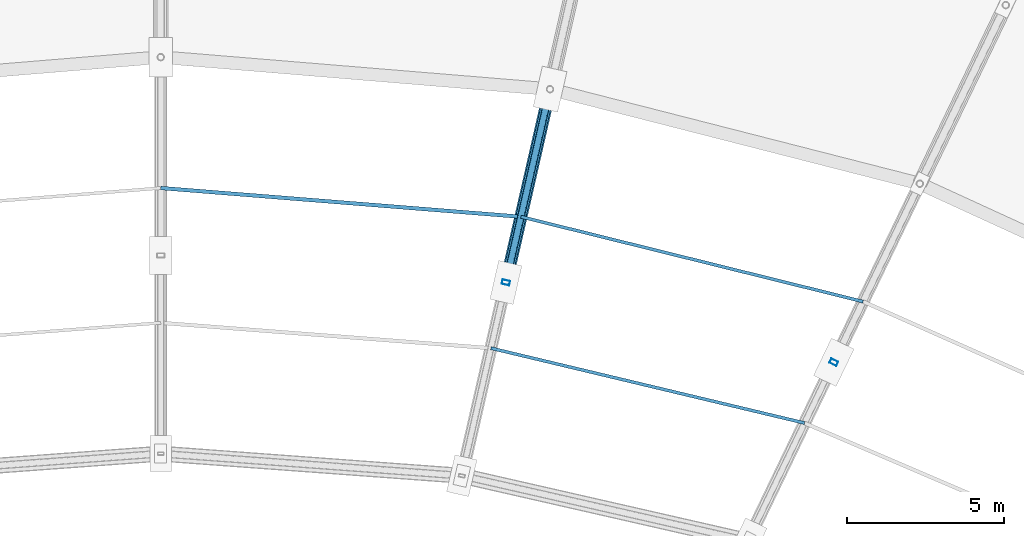
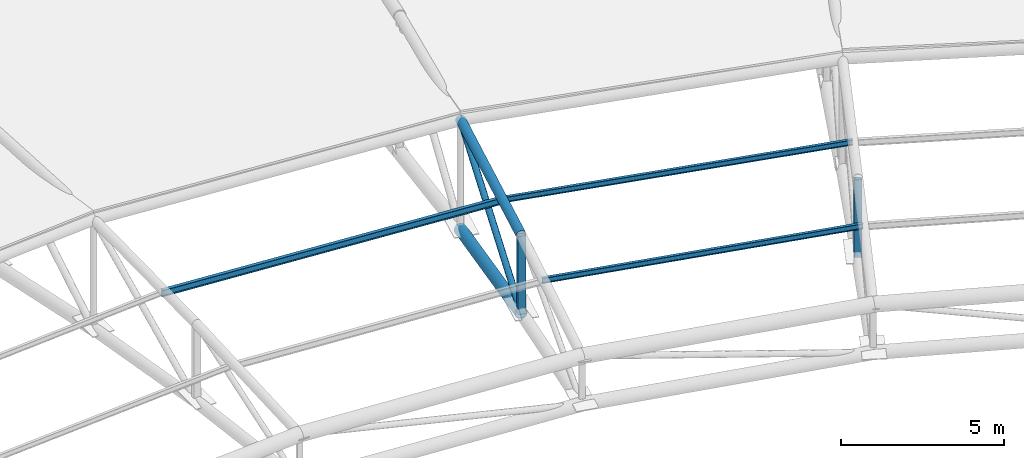
# One storey, part 52 of 108: 8 members.
"""IFC4 building model written with IfcOpenShell, lengths in metres."""

from ifc_helpers import new_model, si_unit, direction, frame, origin, origin_2d, place, context, subcontext, project, spatial, hollow_rectangle, hollow_circle, i_section, extrude, material, material_profile, profile_set, type_object, element, save


model = new_model("IFC4")

# Units and contexts
model_context = context("Model", 3, precision=1e-05, world=origin(), true_north=direction((0.0, 1.0)))
body_context = subcontext(model_context, "Body", "Model", "MODEL_VIEW")
ifc_project = project(units=[si_unit("LENGTHUNIT", "METRE"), si_unit("AREAUNIT", "SQUARE_METRE"), si_unit("VOLUMEUNIT", "CUBIC_METRE"), si_unit("PLANEANGLEUNIT", "RADIAN"), si_unit("MASSUNIT", "GRAM", prefix="KILO")], contexts=[model_context])

# Site, building, storey
site_placement = place(None, origin())
site = spatial("IfcSite", under=ifc_project, at=site_placement, CompositionType="ELEMENT")
building_placement = place(site_placement, origin())
building = spatial("IfcBuilding", under=site, at=building_placement, Name="Zevraka Park Crest Stadium", CompositionType="ELEMENT")
storey_placement = place(building_placement, frame((0.0, 0.0, 29.39990234375)))
storey = spatial("IfcBuildingStorey", under=building, at=storey_placement, Name="RF", CompositionType="ELEMENT", Elevation=29.39990234375)

# Members
ifc_material_1 = material(Name="Steel S355", Category="steel")
ifc_material_profile_1 = material_profile(ifc_material_1, i_section(OverallWidth=0.1201171875, OverallDepth=0.239990234375, WebThickness=0.006103515625, FlangeThickness=0.009765625, at=origin_2d()), Name="IPE 240")
ifc_profile_set_1 = profile_set([ifc_material_profile_1], Name="Steel S355")
member_type_1 = type_object("IfcMemberType", Name="PR01", PredefinedType="PURLIN", material=ifc_profile_set_1)
member_1_placement = place(storey_placement, frame((123.447021484375, 127.528076171875, 9.153076171875), z_axis=(-0.996828716776, 0.079577065858, 0.0), x_axis=(-0.079577065858, -0.996828716776, 0.0)))
element("IfcMember", 1, at=member_1_placement, inside=storey, type_object=member_type_1, Name="Canopy Roof Purlin PR01 INNER-07-1", PredefinedType="PURLIN", context=body_context, shape_type="SweptSolid", body=[
    extrude(i_section(OverallWidth=0.1201171875, OverallDepth=0.239990234375, WebThickness=0.006103515625, FlangeThickness=0.009765625, at=origin_2d()), origin(), (0.0, 0.0, 1.0), 11.4833984375),
])
ifc_material_2 = material(Name="Steel S355", Category="steel")
ifc_material_profile_2 = material_profile(ifc_material_2, i_section(OverallWidth=0.10009765625, OverallDepth=0.199951171875, WebThickness=0.005615234375, FlangeThickness=0.008544921875, at=origin_2d()), Name="IPE 200")
ifc_profile_set_2 = profile_set([ifc_material_profile_2], Name="Steel S355")
member_type_2 = type_object("IfcMemberType", Name="PR03", PredefinedType="PURLIN", material=ifc_profile_set_2)
member_2_placement = place(storey_placement, frame((134.320068359375, 124.8330078125, 9.173095703125), z_axis=(-0.970627708153, 0.240586475442, 0.0), x_axis=(-0.240586475442, -0.970627708153, 0.0)))
element("IfcMember", 2, at=member_2_placement, inside=storey, type_object=member_type_2, Name="Canopy Roof Purlin PR03 INNER-06-1", PredefinedType="PURLIN", context=body_context, shape_type="SweptSolid", body=[
    extrude(i_section(OverallWidth=0.10009765625, OverallDepth=0.199951171875, WebThickness=0.005615234375, FlangeThickness=0.008544921875, at=origin_2d()), origin(), (0.0, 0.0, 1.0), 11.2021484375),
])
member_3_placement = place(storey_placement, frame((132.4609375, 120.972900390625, 9.037109375), z_axis=(-0.972678259611, 0.232157281342, 0.0), x_axis=(-0.232157281342, -0.972678259611, 0.0)))
element("IfcMember", 3, at=member_3_placement, inside=storey, type_object=member_type_2, Name="Canopy Roof Purlin PR03 INNER-06-2", PredefinedType="PURLIN", context=body_context, shape_type="SweptSolid", body=[
    extrude(i_section(OverallWidth=0.10009765625, OverallDepth=0.199951171875, WebThickness=0.005615234375, FlangeThickness=0.008544921875, at=origin_2d()), origin(), (0.0, 0.0, 1.0), 10.248046875),
])
ifc_material_3 = material(Name="Steel S355", Category="steel")
ifc_material_profile_3 = material_profile(ifc_material_3, hollow_circle(Radius=0.203125, WallThickness=0.02001953125, at=origin_2d()), Name="CHS 406.4x20")
ifc_profile_set_3 = profile_set([ifc_material_profile_3], Name="Steel S355")
member_type_3 = type_object("IfcMemberType", Name="TC03", PredefinedType="CHORD", material=ifc_profile_set_3)
member_4_placement = place(storey_placement, frame((124.3720703125, 131.58203125, 5.300048828125), z_axis=(-0.219235037488, -0.960389182158, 0.172013421369), x_axis=(0.974920760158, -0.222552266698, 0.0)))
element("IfcMember", 4, at=member_4_placement, inside=storey, type_object=member_type_3, Name="Roof Truss Bottom Chord TC03 T07-6", PredefinedType="CHORD", context=body_context, shape_type="SweptSolid", body=[
    extrude(hollow_circle(Radius=0.203125, WallThickness=0.02001953125, at=origin_2d()), origin(), (0.0, 0.0, 1.0), 6.3955078125),
])
ifc_material_4 = material(Name="Steel S355", Category="steel")
ifc_material_profile_4 = material_profile(ifc_material_4, hollow_circle(Radius=0.161865234375, WallThickness=0.01611328125, at=origin_2d()), Name="CHS 323.9x16")
ifc_profile_set_4 = profile_set([ifc_material_profile_4], Name="Steel S355")
member_type_4 = type_object("IfcMemberType", Name="TC04", PredefinedType="CHORD", material=ifc_profile_set_4)
member_5_placement = place(storey_placement, frame((124.3720703125, 131.58203125, 9.400146484375), z_axis=(-0.22252418173, -0.974797730099, -0.015886281475), x_axis=(0.974920760158, -0.222552266698, 0.0)))
element("IfcMember", 5, at=member_5_placement, inside=storey, type_object=member_type_4, Name="Roof Truss Top Chord TC04 T07-6", PredefinedType="CHORD", context=body_context, shape_type="SweptSolid", body=[
    extrude(hollow_circle(Radius=0.161865234375, WallThickness=0.01611328125, at=origin_2d()), origin(), (0.0, 0.0, 1.0), 6.30078125),
])
ifc_material_5 = material(Name="Steel S355", Category="steel")
ifc_material_profile_5 = material_profile(ifc_material_5, hollow_circle(Radius=0.109619140625, WallThickness=0.010009765625, at=origin_2d()), Name="CHS 219.1x10")
ifc_profile_set_5 = profile_set([ifc_material_profile_5], Name="Steel S355")
member_type_5 = type_object("IfcMemberType", Name="WB02", PredefinedType="BRACE", material=ifc_profile_set_5)
member_6_placement = place(storey_placement, frame((122.969970703125, 125.43994140625, 6.400146484375), z_axis=(0.200934193488, 0.880219822352, 0.429928498969), x_axis=(-0.974920760158, 0.222552266698, 0.0)))
element("IfcMember", 6, at=member_6_placement, inside=storey, type_object=member_type_5, Name="Roof Truss Web Diagonal WB02 T07-6", PredefinedType="BRACE", context=body_context, shape_type="SweptSolid", body=[
    extrude(hollow_circle(Radius=0.109619140625, WallThickness=0.010009765625, at=origin_2d()), origin(), (0.0, 0.0, 1.0), 6.977783203125),
])
ifc_material_6 = material(Name="Steel S355", Category="steel")
ifc_material_profile_6 = material_profile(ifc_material_6, hollow_rectangle(XDim=0.14990234375, YDim=0.25, WallThickness=0.010009765625, at=origin_2d()), Name="RHS 250x150x10")
ifc_profile_set_6 = profile_set([ifc_material_profile_6], Name="Steel S355")
member_type_6 = type_object("IfcMemberType", Name="WB04", PredefinedType="BRACE", material=ifc_profile_set_6)
for number, where, z_axis, x_axis, name in (
    (7, (133.389892578125, 122.903076171875, 6.400146484375), (0.0, 0.0, 1.0), (0.43381634559, 0.90100131981, 0.0), "Roof Truss Web Post WB04 T06-6"),
    (8, (122.969970703125, 125.43994140625, 6.400146484375), (0.0, 0.0, 1.0), (0.222569549971, 0.974916814618, 0.0), "Roof Truss Web Post WB04 T07-6"),
):
    element("IfcMember", number, at=place(storey_placement, frame(where, z_axis=z_axis, x_axis=x_axis)), inside=storey, type_object=member_type_6, Name=name, PredefinedType="BRACE", context=body_context, shape_type="SweptSolid", body=[
        extrude(hollow_rectangle(XDim=0.14990234375, YDim=0.25, WallThickness=0.010009765625, at=origin_2d()), origin(), (0.0, 0.0, 1.0), 2.89990234375),
    ])

save(model, "model.ifc")
